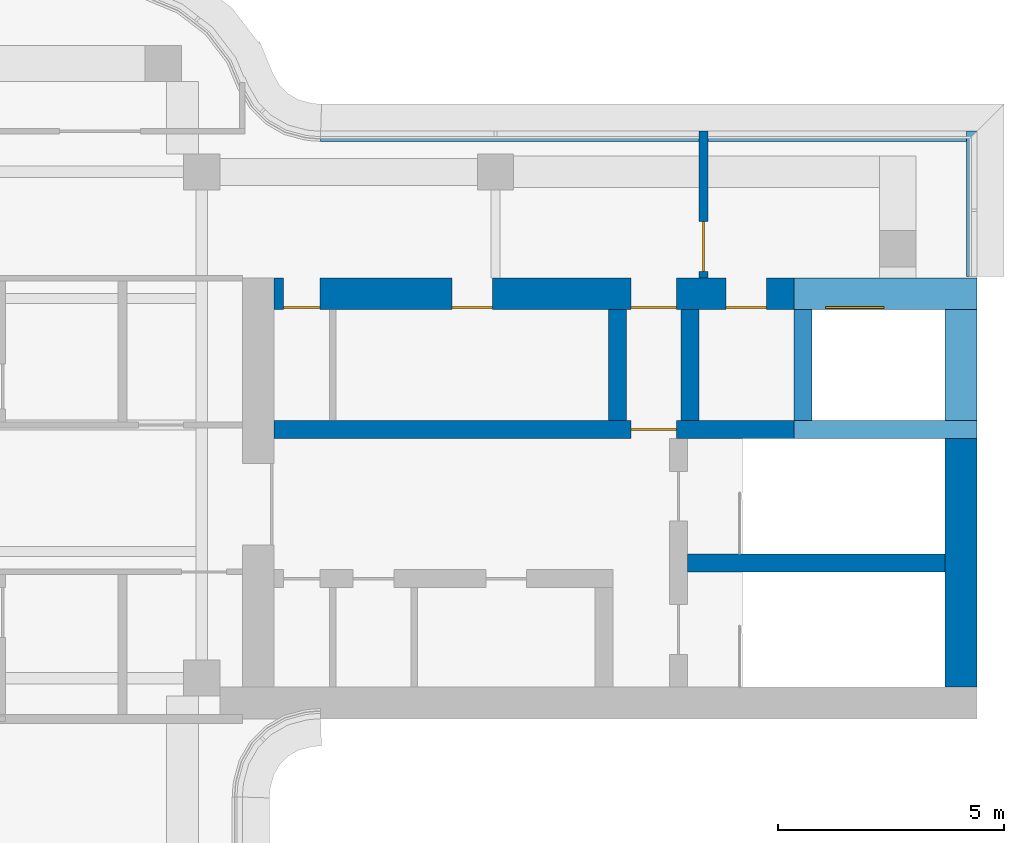
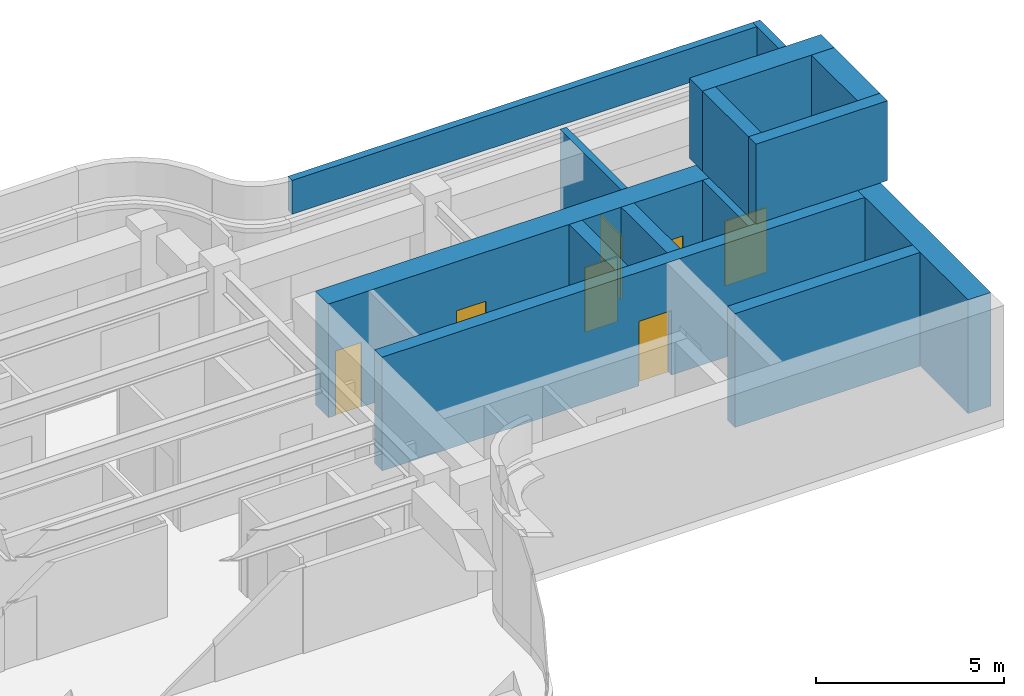
# One storey, part 8 of 9: 14 walls, 7 doors, 7 openings.
"""IFC4 building model written with IfcOpenShell, lengths in metres."""

from ifc_helpers import new_model, si_unit, direction, frame, frame_2d, origin, place, context, subcontext, project, spatial, rectangle, extrude, source, transform, mapped, material, layer, layer_set, type_object, element, fill, save


model = new_model("IFC4")

# Units and contexts
model_context = context("Model", 3, precision=1e-05, world=origin(), true_north=direction((0.0, 1.0)))
body_context = subcontext(model_context, "Body", "Model", "MODEL_VIEW")
ifc_project = project(units=[si_unit("LENGTHUNIT", "METRE"), si_unit("AREAUNIT", "SQUARE_METRE"), si_unit("VOLUMEUNIT", "CUBIC_METRE"), si_unit("PLANEANGLEUNIT", "RADIAN"), si_unit("MASSUNIT", "GRAM", prefix="KILO")], contexts=[model_context])

# Site, building, storey
site_placement = place(None, origin())
site = spatial("IfcSite", under=ifc_project, at=site_placement, CompositionType="ELEMENT")
building_placement = place(site_placement, origin())
building = spatial("IfcBuilding", under=site, at=building_placement, Name="Trellis Farm Tower", CompositionType="ELEMENT")
storey_placement = place(building_placement, frame((0.0, 0.0, 358.10009765625)))
storey = spatial("IfcBuildingStorey", under=building, at=storey_placement, Name="L81", CompositionType="ELEMENT", Elevation=358.10009765625)

# Walls
ifc_material_1 = material(Name="Concrete C50/60", Category="concrete")
ifc_layer_1 = layer(ifc_material_1, 0.699951171875)
ifc_layer_set_1 = layer_set([ifc_layer_1], Name="CORE OUTER WALL 700 CONCRETE C50/60")
wall_type_1 = type_object("IfcWallType", Name="CORE OUTER WALL 700 CONCRETE C50/60", PredefinedType="SHEAR", material=ifc_layer_set_1)
shared_shape_1 = source(origin(), body_context, "Body", "SweptSolid", [
    extrude(rectangle(XDim=9.050048828125, YDim=0.699951171875, at=frame_2d((4.52490234375, 0.0))), origin(), (0.0, 0.0, 1.0), 3.699951171875),
])
wall_1_placement = place(storey_placement, frame((22.39990234375, -5.800048828125, 0.0), z_axis=(0.0, 0.0, 1.0), x_axis=(0.0, 1.0, 0.0)))
element("IfcWall", 1, at=wall_1_placement, inside=storey, type_object=wall_type_1, Name="Core wall", PredefinedType="SHEAR", context=body_context, shape_type="MappedRepresentation", body=[
    mapped(shared_shape_1, transform((0.0, 0.0, 0.0))),
])
ifc_layer_2 = layer(ifc_material_1, 0.39990234375)
ifc_layer_set_2 = layer_set([ifc_layer_2], Name="CORE INNER WALL 400 CONCRETE C50/60")
wall_type_2 = type_object("IfcWallType", Name="CORE INNER WALL 400 CONCRETE C50/60", PredefinedType="SHEAR", material=ifc_layer_set_2)
shared_shape_2 = source(origin(), body_context, "Body", "SweptSolid", [
    extrude(rectangle(XDim=2.449951171875, YDim=0.39990234375, at=frame_2d((1.22509765625, 0.0))), origin(), (0.0, 0.0, 1.0), 3.699951171875),
])
for number, where, z_axis, x_axis, name in (
    (2, (14.800048828125, 0.10009765625, 0.0), (0.0, 0.0, 1.0), (0.0, 1.0, 0.0), "Core wall"),
    (3, (16.39990234375, 0.10009765625, 0.0), (0.0, 0.0, 1.0), (0.0, 1.0, 0.0), "Core wall"),
    (4, (18.89990234375, 0.10009765625, 0.0), (0.0, 0.0, 1.0), (0.0, 1.0, 0.0), "Core wall"),
):
    element("IfcWall", number, at=place(storey_placement, frame(where, z_axis=z_axis, x_axis=x_axis)), inside=storey, type_object=wall_type_2, Name=name, PredefinedType="SHEAR", context=body_context, shape_type="MappedRepresentation", body=[
        mapped(shared_shape_2, transform((0.0, 0.0, 0.0))),
    ])

# Wall, opening, door
ifc_material_2 = material(Name="Masonry blockwork", Category="masonry")
ifc_layer_3 = layer(ifc_material_2, 0.199951171875)
ifc_layer_set_3 = layer_set([ifc_layer_3], Name="FIRE LOBBY PARTITION 200 BLOCKWORK")
wall_type_3 = type_object("IfcWallType", Name="FIRE LOBBY PARTITION 200 BLOCKWORK", PredefinedType="PARTITIONING", material=ifc_layer_set_3)
shared_shape_3 = source(origin(), body_context, "Body", "SweptSolid", [
    extrude(rectangle(XDim=3.25, YDim=0.199951171875, at=frame_2d((1.625, 0.0))), origin(), (0.0, 0.0, 1.0), 3.699951171875),
])
wall_2_placement = place(storey_placement, frame((16.699951171875, 3.25, 0.0), z_axis=(0.0, 0.0, 1.0), x_axis=(0.0, 1.0, 0.0)))
wall_2 = element("IfcWall", 5, at=wall_2_placement, inside=storey, type_object=wall_type_3, Name="Fire-fighting lobby partition", PredefinedType="PARTITIONING", context=body_context, shape_type="MappedRepresentation", body=[
    mapped(shared_shape_3, transform((0.0, 0.0, 0.0))),
])
shared_shape_4 = source(origin(), body_context, "Body", "SweptSolid", [
    extrude(rectangle(XDim=1.10009765625, YDim=2.10009765625, at=frame_2d((0.550048828125, 1.050048828125))), frame((0.0, 0.110107421875, 0.0), z_axis=(0.0, -1.0, 0.0), x_axis=(1.0, 0.0, 0.0)), (0.0, 0.0, 1.0), 0.22021484375),
])
opening_1_placement = place(wall_2_placement, frame((0.14990234375, 0.0, 0.0)))
opening_1 = element("IfcOpeningElement", 6, at=opening_1_placement, cuts=wall_2, Name="Opening DC7", PredefinedType="OPENING", context=body_context, shape_type="MappedRepresentation", body=[
    mapped(shared_shape_4, transform((0.0, 0.0, 0.0))),
])
ifc_material_3 = material(Name="Steel", Category="steel")
door_type_1 = type_object("IfcDoorType", Name="CORE FIRE DOOR 1100 X 2100", OperationType="NOTDEFINED", PredefinedType="DOOR", material=ifc_material_3)
shared_shape_5 = source(origin(), body_context, "Body", "SweptSolid", [
    extrude(rectangle(XDim=1.10009765625, YDim=2.10009765625, at=frame_2d((0.550048828125, 1.050048828125))), frame((0.0, 0.02490234375, 0.0), z_axis=(0.0, -1.0, 0.0), x_axis=(1.0, 0.0, 0.0)), (0.0, 0.0, 1.0), 0.050048828125),
])
door_1_placement = place(opening_1_placement, origin())
door_1 = element("IfcDoor", 7, at=door_1_placement, inside=storey, type_object=door_type_1, Name="Core door", OperationType="SINGLE_SWING_RIGHT", OverallHeight=2.10009765625, OverallWidth=1.10009765625, PredefinedType="DOOR", context=body_context, shape_type="MappedRepresentation", body=[
    mapped(shared_shape_5, transform((0.0, 0.0, 0.0))),
])
fill(opening_1, door_1)

# Wall, openings, doors
shared_shape_6 = source(origin(), body_context, "Body", "SweptSolid", [
    extrude(rectangle(XDim=14.85009765625, YDim=0.699951171875, at=frame_2d((7.425048828125, 0.0))), origin(), (0.0, 0.0, 1.0), 3.699951171875),
])
wall_3_placement = place(storey_placement, frame((7.199951171875, 2.89990234375, 0.0), z_axis=(0.0, 0.0, 1.0), x_axis=(1.0, 0.0, 0.0)))
wall_3 = element("IfcWall", 8, at=wall_3_placement, inside=storey, type_object=wall_type_1, Name="Core wall", PredefinedType="SHEAR", context=body_context, shape_type="MappedRepresentation", body=[
    mapped(shared_shape_6, transform((0.0, 0.0, 0.0))),
])
shared_shape_7 = source(origin(), body_context, "Body", "SweptSolid", [
    extrude(rectangle(XDim=1.300048828125, YDim=2.10009765625, at=frame_2d((0.64990234375, 1.050048828125))), frame((0.0, 0.360107421875, 0.0), z_axis=(0.0, -1.0, 0.0), x_axis=(1.0, 0.0, 0.0)), (0.0, 0.0, 1.0), 0.72021484375),
])
opening_2_placement = place(wall_3_placement, frame((12.199951171875, 0.0, 0.0)))
opening_2 = element("IfcOpeningElement", 9, at=opening_2_placement, cuts=wall_3, Name="Opening LD7", PredefinedType="OPENING", context=body_context, shape_type="MappedRepresentation", body=[
    mapped(shared_shape_7, transform((0.0, 0.0, 0.0))),
])
shared_shape_8 = source(origin(), body_context, "Body", "SweptSolid", [
    extrude(rectangle(XDim=1.0, YDim=2.10009765625, at=frame_2d((0.5, 1.050048828125))), frame((0.0, 0.360107421875, 0.0), z_axis=(0.0, -1.0, 0.0), x_axis=(1.0, 0.0, 0.0)), (0.0, 0.0, 1.0), 0.72021484375),
])
opening_3_placement = place(wall_3_placement, frame((7.89990234375, 0.0, 0.0)))
opening_3 = element("IfcOpeningElement", 10, at=opening_3_placement, cuts=wall_3, Name="Opening DC6", PredefinedType="OPENING", context=body_context, shape_type="MappedRepresentation", body=[
    mapped(shared_shape_8, transform((0.0, 0.0, 0.0))),
])
shared_shape_9 = source(origin(), body_context, "Body", "SweptSolid", [
    extrude(rectangle(XDim=0.800048828125, YDim=2.10009765625, at=frame_2d((0.39990234375, 1.050048828125))), frame((0.0, 0.360107421875, 0.0), z_axis=(0.0, -1.0, 0.0), x_axis=(1.0, 0.0, 0.0)), (0.0, 0.0, 1.0), 0.72021484375),
])
opening_4_placement = place(wall_3_placement, frame((0.21240234375, 0.0, 0.0)))
opening_4 = element("IfcOpeningElement", 11, at=opening_4_placement, cuts=wall_3, Name="Opening DC10", PredefinedType="OPENING", context=body_context, shape_type="MappedRepresentation", body=[
    mapped(shared_shape_9, transform((0.0, 0.0, 0.0))),
])
shared_shape_10 = source(origin(), body_context, "Body", "SweptSolid", [
    extrude(rectangle(XDim=0.89990234375, YDim=2.10009765625, at=frame_2d((0.449951171875, 1.050048828125))), frame((0.0, 0.360107421875, 0.0), z_axis=(0.0, -1.0, 0.0), x_axis=(1.0, 0.0, 0.0)), (0.0, 0.0, 1.0), 0.72021484375),
])
opening_5_placement = place(wall_3_placement, frame((3.9375, 0.0, 0.0)))
opening_5 = element("IfcOpeningElement", 12, at=opening_5_placement, cuts=wall_3, Name="Opening DC17", PredefinedType="OPENING", context=body_context, shape_type="MappedRepresentation", body=[
    mapped(shared_shape_10, transform((0.0, 0.0, 0.0))),
])
opening_6_placement = place(wall_3_placement, frame((10.0, 0.0, 0.0)))
opening_6 = element("IfcOpeningElement", 13, at=opening_6_placement, cuts=wall_3, Name="Opening DC48", PredefinedType="OPENING", context=body_context, shape_type="MappedRepresentation", body=[
    mapped(shared_shape_10, transform((0.0, 0.0, 0.0))),
])
door_type_2 = type_object("IfcDoorType", Name="CORE FIRE DOOR 1000 X 2100", OperationType="NOTDEFINED", PredefinedType="DOOR", material=ifc_material_3)
shared_shape_11 = source(origin(), body_context, "Body", "SweptSolid", [
    extrude(rectangle(XDim=1.0, YDim=2.10009765625, at=frame_2d((0.5, 1.050048828125))), frame((0.0, -0.27490234375, 0.0), z_axis=(0.0, -1.0, 0.0), x_axis=(1.0, 0.0, 0.0)), (0.0, 0.0, 1.0), 0.050048828125),
])
door_2_placement = place(opening_3_placement, origin())
door_2 = element("IfcDoor", 14, at=door_2_placement, inside=storey, type_object=door_type_2, Name="Core door", OperationType="SINGLE_SWING_LEFT", OverallHeight=2.10009765625, OverallWidth=1.0, PredefinedType="DOOR", context=body_context, shape_type="MappedRepresentation", body=[
    mapped(shared_shape_11, transform((0.0, 0.0, 0.0))),
])
fill(opening_3, door_2)
door_type_3 = type_object("IfcDoorType", Name="CORE FIRE DOOR 900 X 2100", OperationType="NOTDEFINED", PredefinedType="DOOR", material=ifc_material_3)
shared_shape_12 = source(origin(), body_context, "Body", "SweptSolid", [
    extrude(rectangle(XDim=0.89990234375, YDim=2.10009765625, at=frame_2d((0.449951171875, 1.050048828125))), frame((0.0, -0.27490234375, 0.0), z_axis=(0.0, -1.0, 0.0), x_axis=(1.0, 0.0, 0.0)), (0.0, 0.0, 1.0), 0.050048828125),
])
door_3_placement = place(opening_5_placement, origin())
door_3 = element("IfcDoor", 15, at=door_3_placement, inside=storey, type_object=door_type_3, Name="Core door", OperationType="SINGLE_SWING_LEFT", OverallHeight=2.10009765625, OverallWidth=0.89990234375, PredefinedType="DOOR", context=body_context, shape_type="MappedRepresentation", body=[
    mapped(shared_shape_12, transform((0.0, 0.0, 0.0))),
])
fill(opening_5, door_3)
door_4_placement = place(opening_6_placement, origin())
door_4 = element("IfcDoor", 16, at=door_4_placement, inside=storey, type_object=door_type_3, Name="Core door", OperationType="SINGLE_SWING_RIGHT", OverallHeight=2.10009765625, OverallWidth=0.89990234375, PredefinedType="DOOR", context=body_context, shape_type="MappedRepresentation", body=[
    mapped(shared_shape_12, transform((0.0, 0.0, 0.0))),
])
fill(opening_6, door_4)
ifc_material_4 = material(Name="Stainless steel", Category="steel")
door_type_4 = type_object("IfcDoorType", Name="LIFT LANDING DOOR 1300 X 2100", OperationType="DOUBLE_DOOR_SLIDING", PredefinedType="DOOR", material=ifc_material_4)
shared_shape_13 = source(origin(), body_context, "Body", "SweptSolid", [
    extrude(rectangle(XDim=1.300048828125, YDim=2.10009765625, at=frame_2d((0.64990234375, 1.050048828125))), frame((0.0, -0.27490234375, 0.0), z_axis=(0.0, -1.0, 0.0), x_axis=(1.0, 0.0, 0.0)), (0.0, 0.0, 1.0), 0.050048828125),
])
door_5_placement = place(opening_2_placement, origin())
door_5 = element("IfcDoor", 17, at=door_5_placement, inside=storey, type_object=door_type_4, Name="Lift landing door", OperationType="DOUBLE_DOOR_SLIDING", OverallHeight=2.10009765625, OverallWidth=1.300048828125, PredefinedType="DOOR", context=body_context, shape_type="MappedRepresentation", body=[
    mapped(shared_shape_13, transform((0.0, 0.0, 0.0))),
])
fill(opening_2, door_5)
door_type_5 = type_object("IfcDoorType", Name="CORE FIRE DOOR 800 X 2100", OperationType="NOTDEFINED", PredefinedType="DOOR", material=ifc_material_3)
shared_shape_14 = source(origin(), body_context, "Body", "SweptSolid", [
    extrude(rectangle(XDim=0.800048828125, YDim=2.10009765625, at=frame_2d((0.39990234375, 1.050048828125))), frame((0.0, -0.27490234375, 0.0), z_axis=(0.0, -1.0, 0.0), x_axis=(1.0, 0.0, 0.0)), (0.0, 0.0, 1.0), 0.050048828125),
])
door_6_placement = place(opening_4_placement, origin())
door_6 = element("IfcDoor", 18, at=door_6_placement, inside=storey, type_object=door_type_5, Name="Core door", OperationType="SINGLE_SWING_RIGHT", OverallHeight=2.10009765625, OverallWidth=0.800048828125, PredefinedType="DOOR", context=body_context, shape_type="MappedRepresentation", body=[
    mapped(shared_shape_14, transform((0.0, 0.0, 0.0))),
])
fill(opening_4, door_6)

# Wall, opening, door
shared_shape_15 = source(origin(), body_context, "Body", "SweptSolid", [
    extrude(rectangle(XDim=14.85009765625, YDim=0.39990234375, at=frame_2d((7.425048828125, 0.0))), origin(), (0.0, 0.0, 1.0), 3.699951171875),
])
wall_4_placement = place(storey_placement, frame((7.199951171875, -0.10009765625, 0.0), z_axis=(0.0, 0.0, 1.0), x_axis=(1.0, 0.0, 0.0)))
wall_4 = element("IfcWall", 19, at=wall_4_placement, inside=storey, type_object=wall_type_2, Name="Core wall", PredefinedType="SHEAR", context=body_context, shape_type="MappedRepresentation", body=[
    mapped(shared_shape_15, transform((0.0, 0.0, 0.0))),
])
shared_shape_16 = source(origin(), body_context, "Body", "SweptSolid", [
    extrude(rectangle(XDim=1.0, YDim=2.10009765625, at=frame_2d((0.5, 1.050048828125))), frame((0.0, 0.2099609375, 0.0), z_axis=(0.0, -1.0, 0.0), x_axis=(1.0, 0.0, 0.0)), (0.0, 0.0, 1.0), 0.419921875),
])
opening_7_placement = place(wall_4_placement, frame((7.89990234375, 0.0, 0.0)))
opening_7 = element("IfcOpeningElement", 20, at=opening_7_placement, cuts=wall_4, Name="Opening DC5", PredefinedType="OPENING", context=body_context, shape_type="MappedRepresentation", body=[
    mapped(shared_shape_16, transform((0.0, 0.0, 0.0))),
])
shared_shape_17 = source(origin(), body_context, "Body", "SweptSolid", [
    extrude(rectangle(XDim=1.0, YDim=2.10009765625, at=frame_2d((0.5, 1.050048828125))), frame((0.0, 0.02490234375, 0.0), z_axis=(0.0, -1.0, 0.0), x_axis=(1.0, 0.0, 0.0)), (0.0, 0.0, 1.0), 0.050048828125),
])
door_7_placement = place(opening_7_placement, origin())
door_7 = element("IfcDoor", 21, at=door_7_placement, inside=storey, type_object=door_type_2, Name="Core door", OperationType="SINGLE_SWING_RIGHT", OverallHeight=2.10009765625, OverallWidth=1.0, PredefinedType="DOOR", context=body_context, shape_type="MappedRepresentation", body=[
    mapped(shared_shape_17, transform((0.0, 0.0, 0.0))),
])
fill(opening_7, door_7)

# Walls
shared_shape_18 = source(origin(), body_context, "Body", "SweptSolid", [
    extrude(rectangle(XDim=5.699951171875, YDim=0.39990234375, at=frame_2d((2.85009765625, 0.0))), origin(), (0.0, 0.0, 1.0), 3.699951171875),
])
wall_5_placement = place(storey_placement, frame((16.35009765625, -3.050048828125, 0.0), z_axis=(0.0, 0.0, 1.0), x_axis=(1.0, 0.0, 0.0)))
element("IfcWall", 22, at=wall_5_placement, inside=storey, type_object=wall_type_2, Name="Core wall", PredefinedType="SHEAR", context=body_context, shape_type="MappedRepresentation", body=[
    mapped(shared_shape_18, transform((0.0, 0.0, 0.0))),
])
ifc_layer_4 = layer(ifc_material_1, 0.39990234375)
ifc_layer_set_4 = layer_set([ifc_layer_4], Name="LIFT OVERRUN HOUSING WALL 400 CONCRETE C50/60")
wall_type_4 = type_object("IfcWallType", Name="LIFT OVERRUN HOUSING WALL 400 CONCRETE C50/60", PredefinedType="SHEAR", material=ifc_layer_set_4)
shared_shape_19 = source(origin(), body_context, "Body", "SweptSolid", [
    extrude(rectangle(XDim=4.050048828125, YDim=0.39990234375, at=frame_2d((2.02490234375, 0.0))), origin(), (0.0, 0.0, 1.0), 2.599853515625),
])
wall_6_placement = place(storey_placement, frame((18.699951171875, -0.10009765625, 4.0), z_axis=(0.0, 0.0, 1.0), x_axis=(1.0, 0.0, 0.0)))
element("IfcWall", 23, at=wall_6_placement, inside=storey, type_object=wall_type_4, Name="Lift overrun housing wall", PredefinedType="SHEAR", context=body_context, shape_type="MappedRepresentation", body=[
    mapped(shared_shape_19, transform((0.0, 0.0, 0.0))),
])
shared_shape_20 = source(origin(), body_context, "Body", "SweptSolid", [
    extrude(rectangle(XDim=4.050048828125, YDim=0.699951171875, at=frame_2d((2.02490234375, 0.0))), origin(), (0.0, 0.0, 1.0), 2.599853515625),
])
wall_7_placement = place(storey_placement, frame((18.699951171875, 2.89990234375, 4.0), z_axis=(0.0, 0.0, 1.0), x_axis=(1.0, 0.0, 0.0)))
element("IfcWall", 24, at=wall_7_placement, inside=storey, type_object=wall_type_4, Name="Lift overrun housing wall", PredefinedType="SHEAR", context=body_context, shape_type="MappedRepresentation", body=[
    mapped(shared_shape_20, transform((0.0, 0.0, 0.0))),
])
shared_shape_21 = source(origin(), body_context, "Body", "SweptSolid", [
    extrude(rectangle(XDim=2.449951171875, YDim=0.39990234375, at=frame_2d((1.22509765625, 0.0))), origin(), (0.0, 0.0, 1.0), 2.599853515625),
])
wall_8_placement = place(storey_placement, frame((18.89990234375, 0.10009765625, 4.0), z_axis=(0.0, 0.0, 1.0), x_axis=(0.0, 1.0, 0.0)))
element("IfcWall", 25, at=wall_8_placement, inside=storey, type_object=wall_type_4, Name="Lift overrun housing wall", PredefinedType="SHEAR", context=body_context, shape_type="MappedRepresentation", body=[
    mapped(shared_shape_21, transform((0.0, 0.0, 0.0))),
])
shared_shape_22 = source(origin(), body_context, "Body", "SweptSolid", [
    extrude(rectangle(XDim=2.449951171875, YDim=0.699951171875, at=frame_2d((1.22509765625, 0.0))), origin(), (0.0, 0.0, 1.0), 2.599853515625),
])
wall_9_placement = place(storey_placement, frame((22.39990234375, 0.10009765625, 4.0), z_axis=(0.0, 0.0, 1.0), x_axis=(0.0, 1.0, 0.0)))
element("IfcWall", 26, at=wall_9_placement, inside=storey, type_object=wall_type_4, Name="Lift overrun housing wall", PredefinedType="SHEAR", context=body_context, shape_type="MappedRepresentation", body=[
    mapped(shared_shape_22, transform((0.0, 0.0, 0.0))),
])
ifc_material_5 = material(Name="Sandstone faced insulated wall", Category="masonry")
ifc_layer_5 = layer(ifc_material_5, 0.22509765625)
ifc_layer_set_5 = layer_set([ifc_layer_5], Name="PARAPET WALL 225")
wall_type_5 = type_object("IfcWallType", Name="PARAPET WALL 225", PredefinedType="PARAPET", material=ifc_layer_set_5)
shared_shape_23 = source(origin(), body_context, "Body", "SweptSolid", [
    extrude(rectangle(XDim=3.219970703125, YDim=0.22509765625, at=frame_2d((1.60986328125, 0.0))), origin(), (0.0, 0.0, 1.0), 1.099853515625),
])
wall_10_placement = place(storey_placement, frame((22.637451171875, 3.280029296875, 4.0), z_axis=(0.0, 0.0, 1.0), x_axis=(0.0, 1.0, 0.0)))
element("IfcWall", 27, at=wall_10_placement, inside=storey, type_object=wall_type_5, Name="EW3 07", PredefinedType="PARAPET", context=body_context, shape_type="MappedRepresentation", body=[
    mapped(shared_shape_23, transform((0.0, 0.0, 0.0))),
])
shared_shape_24 = source(origin(), body_context, "Body", "SweptSolid", [
    extrude(rectangle(XDim=14.5185546875, YDim=0.22509765625, at=frame_2d((7.25927734375, 0.0))), origin(), (0.0, 0.0, 1.0), 1.099853515625),
])
wall_11_placement = place(storey_placement, frame((22.75, 6.387451171875, 4.0), z_axis=(0.0, 0.0, 1.0), x_axis=(-1.0, 0.0, 0.0)))
element("IfcWall", 28, at=wall_11_placement, inside=storey, type_object=wall_type_5, Name="EW3 08", PredefinedType="PARAPET", context=body_context, shape_type="MappedRepresentation", body=[
    mapped(shared_shape_24, transform((0.0, 0.0, 0.0))),
])

save(model, "model.ifc")
